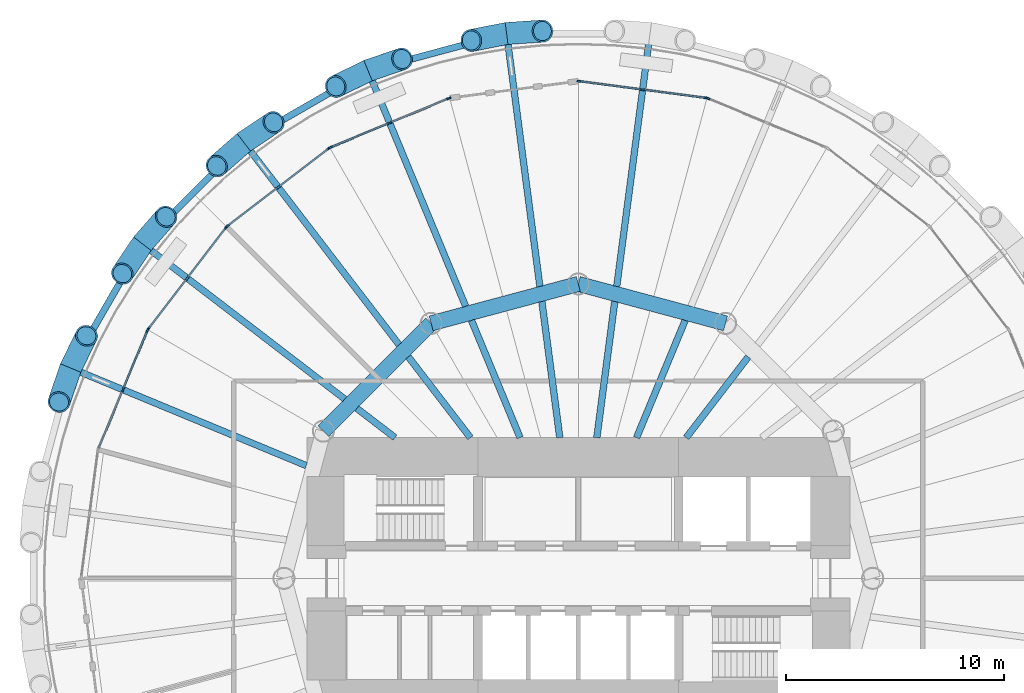
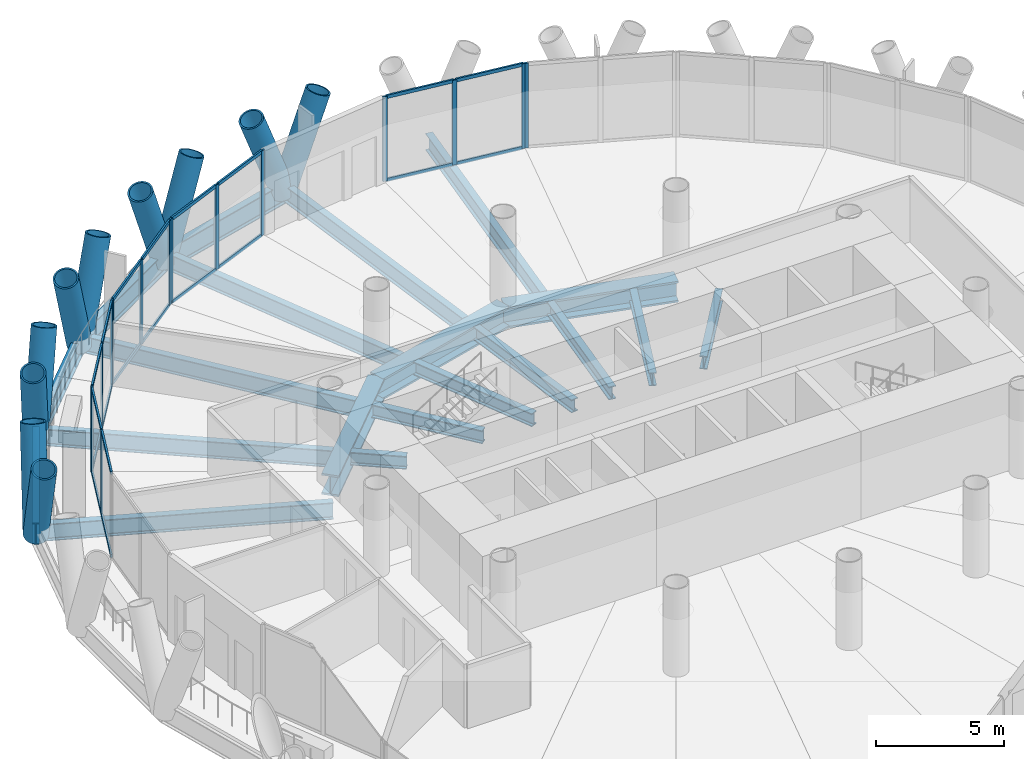
# One storey, part 5 of 14: 45 members, 20 beams, 6 elements without a shape of their own.
"""IFC4 building model written with IfcOpenShell, lengths in metres."""

from ifc_helpers import new_model, si_unit, direction, frame, origin, origin_2d, place, context, subcontext, project, spatial, rectangle, hollow_circle, i_section, extrude, material, material_profile, profile_set, type_object, element, aggregate, save


model = new_model("IFC4")

# Units and contexts
model_context = context("Model", 3, precision=1e-05, world=origin(), true_north=direction((0.0, 1.0)))
body_context = subcontext(model_context, "Body", "Model", "MODEL_VIEW")
ifc_project = project(units=[si_unit("LENGTHUNIT", "METRE"), si_unit("AREAUNIT", "SQUARE_METRE"), si_unit("VOLUMEUNIT", "CUBIC_METRE"), si_unit("PLANEANGLEUNIT", "RADIAN"), si_unit("MASSUNIT", "GRAM", prefix="KILO")], contexts=[model_context])

# Site, building, storey
site_placement = place(None, origin())
site = spatial("IfcSite", under=ifc_project, at=site_placement, CompositionType="ELEMENT")
building_placement = place(site_placement, origin())
building = spatial("IfcBuilding", under=site, at=building_placement, Name="Qaws Media Tower", CompositionType="ELEMENT")
storey_placement = place(building_placement, frame((0.0, 0.0, 118.39990234375)))
storey = spatial("IfcBuildingStorey", under=building, at=storey_placement, Name="L26", CompositionType="ELEMENT", Elevation=118.39990234375)

# Curtain wall, member
ifc_material_1 = material(Name="Aluminium and clear glass", Category="aluminium")
curtain_wall_type = type_object("IfcCurtainWallType", Name="Unitised curtain wall CW-B", PredefinedType="NOTDEFINED", material=ifc_material_1)
curtain_wall_1_placement = place(storey_placement, origin())
curtain_wall_1 = element("IfcCurtainWall", 1, at=curtain_wall_1_placement, inside=storey, type_object=curtain_wall_type, Name="CWB curtain wall L26-05", PredefinedType="NOTDEFINED")
ifc_material_2 = material(Name="Aluminium mullion", Category="aluminium")
ifc_material_profile_1 = material_profile(ifc_material_2, rectangle(XDim=0.080078125, YDim=0.199951171875, at=origin_2d()), Name="80x200")
ifc_profile_set_1 = profile_set([ifc_material_profile_1], Name="Aluminium mullion")
member_type_1 = type_object("IfcMemberType", Name="Curtain wall mullion 80x200", PredefinedType="MULLION", material=ifc_profile_set_1)
member_1_placement = place(storey_placement, frame((65.93798828125, 72.0078125, 0.0), z_axis=(0.0, 0.0, 1.0), x_axis=(-0.382683471419, -0.923879516335, 0.0)))
member_1 = element("IfcMember", 2, at=member_1_placement, type_object=member_type_1, Name="CWB mullion 3", PredefinedType="MULLION", context=body_context, shape_type="SweptSolid", body=[
    extrude(rectangle(XDim=0.080078125, YDim=0.199951171875, at=origin_2d()), origin(), (0.0, 0.0, 1.0), 4.0400390625),
])
aggregate(curtain_wall_1, [member_1])

# Curtain wall, members
curtain_wall_2_placement = place(storey_placement, origin())
curtain_wall_2 = element("IfcCurtainWall", 3, at=curtain_wall_2_placement, inside=storey, type_object=curtain_wall_type, Name="CWB curtain wall L26-06", PredefinedType="NOTDEFINED")
member_2_placement = place(storey_placement, frame((65.861328125, 72.0283203125, 0.0), z_axis=(0.0, 0.0, 1.0), x_axis=(-0.130526170659, -0.991444864212, 0.0)))
member_2 = element("IfcMember", 4, at=member_2_placement, type_object=member_type_1, Name="CWB mullion 1", PredefinedType="MULLION", context=body_context, shape_type="SweptSolid", body=[
    extrude(rectangle(XDim=0.080078125, YDim=0.199951171875, at=origin_2d()), origin(), (0.0, 0.0, 1.0), 4.0400390625),
])
member_3_placement = place(storey_placement, frame((62.950439453125, 72.41162109375, 0.0), z_axis=(0.0, 0.0, 1.0), x_axis=(-0.130526170659, -0.991444864212, 0.0)))
member_3 = element("IfcMember", 5, at=member_3_placement, type_object=member_type_1, Name="CWB mullion 2", PredefinedType="MULLION", context=body_context, shape_type="SweptSolid", body=[
    extrude(rectangle(XDim=0.080078125, YDim=0.199951171875, at=origin_2d()), origin(), (0.0, 0.0, 1.0), 4.0400390625),
])
member_4_placement = place(storey_placement, frame((60.03955078125, 72.794677734375, 0.0), z_axis=(0.0, 0.0, 1.0), x_axis=(-0.130526170659, -0.991444864212, 0.0)))
member_4 = element("IfcMember", 6, at=member_4_placement, type_object=member_type_1, Name="CWB mullion 3", PredefinedType="MULLION", context=body_context, shape_type="SweptSolid", body=[
    extrude(rectangle(XDim=0.080078125, YDim=0.199951171875, at=origin_2d()), origin(), (0.0, 0.0, 1.0), 4.0400390625),
])

curtain_wall_3_placement = place(storey_placement, origin())
curtain_wall_3 = element("IfcCurtainWall", 7, at=curtain_wall_3_placement, inside=storey, type_object=curtain_wall_type, Name="CWB curtain wall L26-08", PredefinedType="NOTDEFINED")
member_5_placement = place(storey_placement, frame((54.06201171875, 72.0078125, 0.0), z_axis=(0.0, 0.0, 1.0), x_axis=(0.382683471419, -0.923879516335, 0.0)))
member_5 = element("IfcMember", 8, at=member_5_placement, type_object=member_type_1, Name="CWB mullion 1", PredefinedType="MULLION", context=body_context, shape_type="SweptSolid", body=[
    extrude(rectangle(XDim=0.080078125, YDim=0.199951171875, at=origin_2d()), origin(), (0.0, 0.0, 1.0), 4.0400390625),
])
member_6_placement = place(storey_placement, frame((51.349365234375, 70.88427734375, 0.0), z_axis=(0.0, 0.0, 1.0), x_axis=(0.382683471419, -0.923879516335, 0.0)))
member_6 = element("IfcMember", 9, at=member_6_placement, type_object=member_type_1, Name="CWB mullion 2", PredefinedType="MULLION", context=body_context, shape_type="SweptSolid", body=[
    extrude(rectangle(XDim=0.080078125, YDim=0.199951171875, at=origin_2d()), origin(), (0.0, 0.0, 1.0), 4.0400390625),
])
member_7_placement = place(storey_placement, frame((48.636962890625, 69.7607421875, 0.0), z_axis=(0.0, 0.0, 1.0), x_axis=(0.382683471419, -0.923879516335, 0.0)))
member_7 = element("IfcMember", 10, at=member_7_placement, type_object=member_type_1, Name="CWB mullion 3", PredefinedType="MULLION", context=body_context, shape_type="SweptSolid", body=[
    extrude(rectangle(XDim=0.080078125, YDim=0.199951171875, at=origin_2d()), origin(), (0.0, 0.0, 1.0), 4.0400390625),
])

curtain_wall_4_placement = place(storey_placement, origin())
curtain_wall_4 = element("IfcCurtainWall", 11, at=curtain_wall_4_placement, inside=storey, type_object=curtain_wall_type, Name="CWB curtain wall L26-09", PredefinedType="NOTDEFINED")
member_8_placement = place(storey_placement, frame((48.568359375, 69.720947265625, 0.0), z_axis=(0.0, 0.0, 1.0), x_axis=(0.608761334505, -0.793353412806, 0.0)))
member_8 = element("IfcMember", 12, at=member_8_placement, type_object=member_type_1, Name="CWB mullion 1", PredefinedType="MULLION", context=body_context, shape_type="SweptSolid", body=[
    extrude(rectangle(XDim=0.080078125, YDim=0.199951171875, at=origin_2d()), origin(), (0.0, 0.0, 1.0), 4.0400390625),
])
member_9_placement = place(storey_placement, frame((46.239013671875, 67.93359375, 0.0), z_axis=(0.0, 0.0, 1.0), x_axis=(0.608761334505, -0.793353412806, 0.0)))
member_9 = element("IfcMember", 13, at=member_9_placement, type_object=member_type_1, Name="CWB mullion 2", PredefinedType="MULLION", context=body_context, shape_type="SweptSolid", body=[
    extrude(rectangle(XDim=0.080078125, YDim=0.199951171875, at=origin_2d()), origin(), (0.0, 0.0, 1.0), 4.0400390625),
])
member_10_placement = place(storey_placement, frame((43.90966796875, 66.146484375, 0.0), z_axis=(0.0, 0.0, 1.0), x_axis=(0.608761334505, -0.793353412806, 0.0)))
member_10 = element("IfcMember", 14, at=member_10_placement, type_object=member_type_1, Name="CWB mullion 3", PredefinedType="MULLION", context=body_context, shape_type="SweptSolid", body=[
    extrude(rectangle(XDim=0.080078125, YDim=0.199951171875, at=origin_2d()), origin(), (0.0, 0.0, 1.0), 4.0400390625),
])

curtain_wall_5_placement = place(storey_placement, origin())
curtain_wall_5 = element("IfcCurtainWall", 15, at=curtain_wall_5_placement, inside=storey, type_object=curtain_wall_type, Name="CWB curtain wall L26-10", PredefinedType="NOTDEFINED")
member_11_placement = place(storey_placement, frame((43.853515625, 66.09033203125, 0.0), z_axis=(0.0, 0.0, 1.0), x_axis=(0.793353412806, -0.608761334505, 0.0)))
member_11 = element("IfcMember", 16, at=member_11_placement, type_object=member_type_1, Name="CWB mullion 1", PredefinedType="MULLION", context=body_context, shape_type="SweptSolid", body=[
    extrude(rectangle(XDim=0.080078125, YDim=0.199951171875, at=origin_2d()), origin(), (0.0, 0.0, 1.0), 4.0400390625),
])
member_12_placement = place(storey_placement, frame((42.06640625, 63.760986328125, 0.0), z_axis=(0.0, 0.0, 1.0), x_axis=(0.793353412806, -0.608761334505, 0.0)))
member_12 = element("IfcMember", 17, at=member_12_placement, type_object=member_type_1, Name="CWB mullion 2", PredefinedType="MULLION", context=body_context, shape_type="SweptSolid", body=[
    extrude(rectangle(XDim=0.080078125, YDim=0.199951171875, at=origin_2d()), origin(), (0.0, 0.0, 1.0), 4.0400390625),
])
member_13_placement = place(storey_placement, frame((40.279052734375, 61.431640625, 0.0), z_axis=(0.0, 0.0, 1.0), x_axis=(0.793353412806, -0.608761334505, 0.0)))
member_13 = element("IfcMember", 18, at=member_13_placement, type_object=member_type_1, Name="CWB mullion 3", PredefinedType="MULLION", context=body_context, shape_type="SweptSolid", body=[
    extrude(rectangle(XDim=0.080078125, YDim=0.199951171875, at=origin_2d()), origin(), (0.0, 0.0, 1.0), 4.0400390625),
])

curtain_wall_6_placement = place(storey_placement, origin())
curtain_wall_6 = element("IfcCurtainWall", 19, at=curtain_wall_6_placement, inside=storey, type_object=curtain_wall_type, Name="CWB curtain wall L26-11", PredefinedType="NOTDEFINED")
member_14_placement = place(storey_placement, frame((40.2392578125, 61.363037109375, 0.0), z_axis=(0.0, 0.0, 1.0), x_axis=(0.923879516335, -0.382683471419, 0.0)))
member_14 = element("IfcMember", 20, at=member_14_placement, type_object=member_type_1, Name="CWB mullion 1", PredefinedType="MULLION", context=body_context, shape_type="SweptSolid", body=[
    extrude(rectangle(XDim=0.080078125, YDim=0.199951171875, at=origin_2d()), origin(), (0.0, 0.0, 1.0), 4.0400390625),
])
member_15_placement = place(storey_placement, frame((39.11572265625, 58.650634765625, 0.0), z_axis=(0.0, 0.0, 1.0), x_axis=(0.923879516335, -0.382683471419, 0.0)))
member_15 = element("IfcMember", 21, at=member_15_placement, type_object=member_type_1, Name="CWB mullion 2", PredefinedType="MULLION", context=body_context, shape_type="SweptSolid", body=[
    extrude(rectangle(XDim=0.080078125, YDim=0.199951171875, at=origin_2d()), origin(), (0.0, 0.0, 1.0), 4.0400390625),
])

# Member
ifc_material_3 = material(Name="Aluminium transom", Category="aluminium")
ifc_material_profile_2 = material_profile(ifc_material_3, rectangle(XDim=0.080078125, YDim=0.159912109375, at=origin_2d()), Name="80x160")
ifc_profile_set_2 = profile_set([ifc_material_profile_2], Name="Aluminium transom")
member_type_2 = type_object("IfcMemberType", Name="Curtain wall transom 80x160", PredefinedType="USERDEFINED", material=ifc_profile_set_2)
member_16_placement = place(storey_placement, frame((65.82177734375, 72.033447265625, 0.0400390625), z_axis=(-0.991443817788, 0.130534118793, 0.0), x_axis=(-0.130534118793, -0.991443817788, 0.0)))
member_16 = element("IfcMember", 22, at=member_16_placement, type_object=member_type_2, Name="CWB transom 1.1", ObjectType="TRANSOM", PredefinedType="USERDEFINED", context=body_context, shape_type="SweptSolid", body=[
    extrude(rectangle(XDim=0.080078125, YDim=0.159912109375, at=origin_2d()), origin(), (0.0, 0.0, 1.0), 2.85595703125),
])

member_17_placement = place(storey_placement, frame((65.82177734375, 72.033447265625, 4.0), z_axis=(-0.991443817788, 0.130534118793, 0.0), x_axis=(-0.130534118793, -0.991443817788, 0.0)))
member_17 = element("IfcMember", 23, at=member_17_placement, type_object=member_type_2, Name="CWB transom 1.2", ObjectType="TRANSOM", PredefinedType="USERDEFINED", context=body_context, shape_type="SweptSolid", body=[
    extrude(rectangle(XDim=0.080078125, YDim=0.159912109375, at=origin_2d()), origin(), (0.0, 0.0, 1.0), 2.85595703125),
])

member_18_placement = place(storey_placement, frame((62.910888671875, 72.416748046875, 0.0400390625), z_axis=(-0.991443817788, 0.130534118793, 0.0), x_axis=(-0.130534118793, -0.991443817788, 0.0)))
member_18 = element("IfcMember", 24, at=member_18_placement, type_object=member_type_2, Name="CWB transom 2.1", ObjectType="TRANSOM", PredefinedType="USERDEFINED", context=body_context, shape_type="SweptSolid", body=[
    extrude(rectangle(XDim=0.080078125, YDim=0.159912109375, at=origin_2d()), origin(), (0.0, 0.0, 1.0), 2.85595703125),
])

member_19_placement = place(storey_placement, frame((62.910888671875, 72.416748046875, 4.0), z_axis=(-0.991443817788, 0.130534118793, 0.0), x_axis=(-0.130534118793, -0.991443817788, 0.0)))
member_19 = element("IfcMember", 25, at=member_19_placement, type_object=member_type_2, Name="CWB transom 2.2", ObjectType="TRANSOM", PredefinedType="USERDEFINED", context=body_context, shape_type="SweptSolid", body=[
    extrude(rectangle(XDim=0.080078125, YDim=0.159912109375, at=origin_2d()), origin(), (0.0, 0.0, 1.0), 2.85595703125),
])

aggregate(curtain_wall_2, [member_2, member_3, member_4, member_16, member_17, member_18, member_19])

member_20_placement = place(storey_placement, frame((54.02490234375, 71.992431640625, 0.0400390625), z_axis=(-0.923891802568, -0.382653808485, 0.0), x_axis=(0.382653808485, -0.923891802568, 0.0)))
member_20 = element("IfcMember", 26, at=member_20_placement, type_object=member_type_2, Name="CWB transom 1.1", ObjectType="TRANSOM", PredefinedType="USERDEFINED", context=body_context, shape_type="SweptSolid", body=[
    extrude(rectangle(XDim=0.080078125, YDim=0.159912109375, at=origin_2d()), origin(), (0.0, 0.0, 1.0), 2.855712890625),
])

member_21_placement = place(storey_placement, frame((54.02490234375, 71.992431640625, 4.0), z_axis=(-0.923891802568, -0.382653808485, 0.0), x_axis=(0.382653808485, -0.923891802568, 0.0)))
member_21 = element("IfcMember", 27, at=member_21_placement, type_object=member_type_2, Name="CWB transom 1.2", ObjectType="TRANSOM", PredefinedType="USERDEFINED", context=body_context, shape_type="SweptSolid", body=[
    extrude(rectangle(XDim=0.080078125, YDim=0.159912109375, at=origin_2d()), origin(), (0.0, 0.0, 1.0), 2.855712890625),
])

member_22_placement = place(storey_placement, frame((51.3125, 70.868896484375, 0.0400390625), z_axis=(-0.923874097972, -0.382696552241, 0.0), x_axis=(0.382696552241, -0.923874097972, 0.0)))
member_22 = element("IfcMember", 28, at=member_22_placement, type_object=member_type_2, Name="CWB transom 2.1", ObjectType="TRANSOM", PredefinedType="USERDEFINED", context=body_context, shape_type="SweptSolid", body=[
    extrude(rectangle(XDim=0.080078125, YDim=0.159912109375, at=origin_2d()), origin(), (0.0, 0.0, 1.0), 2.856201171875),
])

member_23_placement = place(storey_placement, frame((51.3125, 70.868896484375, 4.0), z_axis=(-0.923874097972, -0.382696552241, 0.0), x_axis=(0.382696552241, -0.923874097972, 0.0)))
member_23 = element("IfcMember", 29, at=member_23_placement, type_object=member_type_2, Name="CWB transom 2.2", ObjectType="TRANSOM", PredefinedType="USERDEFINED", context=body_context, shape_type="SweptSolid", body=[
    extrude(rectangle(XDim=0.080078125, YDim=0.159912109375, at=origin_2d()), origin(), (0.0, 0.0, 1.0), 2.856201171875),
])

aggregate(curtain_wall_3, [member_5, member_6, member_7, member_20, member_21, member_22, member_23])

member_24_placement = place(storey_placement, frame((48.53662109375, 69.69677734375, 0.0400390625), z_axis=(-0.793335248528, -0.608785005928, 0.0), x_axis=(0.608785005928, -0.793335248528, 0.0)))
member_24 = element("IfcMember", 30, at=member_24_placement, type_object=member_type_2, Name="CWB transom 1.1", ObjectType="TRANSOM", PredefinedType="USERDEFINED", context=body_context, shape_type="SweptSolid", body=[
    extrude(rectangle(XDim=0.080078125, YDim=0.159912109375, at=origin_2d()), origin(), (0.0, 0.0, 1.0), 2.856201171875),
])

member_25_placement = place(storey_placement, frame((48.53662109375, 69.69677734375, 4.0), z_axis=(-0.793335248528, -0.608785005928, 0.0), x_axis=(0.608785005928, -0.793335248528, 0.0)))
member_25 = element("IfcMember", 31, at=member_25_placement, type_object=member_type_2, Name="CWB transom 1.2", ObjectType="TRANSOM", PredefinedType="USERDEFINED", context=body_context, shape_type="SweptSolid", body=[
    extrude(rectangle(XDim=0.080078125, YDim=0.159912109375, at=origin_2d()), origin(), (0.0, 0.0, 1.0), 2.856201171875),
])

member_26_placement = place(storey_placement, frame((46.207275390625, 67.909423828125, 0.0400390625), z_axis=(-0.793335248528, -0.608785005928, 0.0), x_axis=(0.608785005928, -0.793335248528, 0.0)))
member_26 = element("IfcMember", 32, at=member_26_placement, type_object=member_type_2, Name="CWB transom 2.1", ObjectType="TRANSOM", PredefinedType="USERDEFINED", context=body_context, shape_type="SweptSolid", body=[
    extrude(rectangle(XDim=0.080078125, YDim=0.159912109375, at=origin_2d()), origin(), (0.0, 0.0, 1.0), 2.856201171875),
])

member_27_placement = place(storey_placement, frame((46.207275390625, 67.909423828125, 4.0), z_axis=(-0.793335248528, -0.608785005928, 0.0), x_axis=(0.608785005928, -0.793335248528, 0.0)))
member_27 = element("IfcMember", 33, at=member_27_placement, type_object=member_type_2, Name="CWB transom 2.2", ObjectType="TRANSOM", PredefinedType="USERDEFINED", context=body_context, shape_type="SweptSolid", body=[
    extrude(rectangle(XDim=0.080078125, YDim=0.159912109375, at=origin_2d()), origin(), (0.0, 0.0, 1.0), 2.856201171875),
])

aggregate(curtain_wall_4, [member_8, member_9, member_10, member_24, member_25, member_26, member_27])

member_28_placement = place(storey_placement, frame((43.829345703125, 66.05859375, 0.0400390625), z_axis=(-0.608785005928, -0.793335248528, 0.0), x_axis=(0.793335248528, -0.608785005928, 0.0)))
member_28 = element("IfcMember", 34, at=member_28_placement, type_object=member_type_2, Name="CWB transom 1.1", ObjectType="TRANSOM", PredefinedType="USERDEFINED", context=body_context, shape_type="SweptSolid", body=[
    extrude(rectangle(XDim=0.080078125, YDim=0.159912109375, at=origin_2d()), origin(), (0.0, 0.0, 1.0), 2.856201171875),
])

member_29_placement = place(storey_placement, frame((43.829345703125, 66.05859375, 4.0), z_axis=(-0.608785005928, -0.793335248528, 0.0), x_axis=(0.793335248528, -0.608785005928, 0.0)))
member_29 = element("IfcMember", 35, at=member_29_placement, type_object=member_type_2, Name="CWB transom 1.2", ObjectType="TRANSOM", PredefinedType="USERDEFINED", context=body_context, shape_type="SweptSolid", body=[
    extrude(rectangle(XDim=0.080078125, YDim=0.159912109375, at=origin_2d()), origin(), (0.0, 0.0, 1.0), 2.856201171875),
])

member_30_placement = place(storey_placement, frame((42.0419921875, 63.729248046875, 0.0400390625), z_axis=(-0.608785005928, -0.793335248528, 0.0), x_axis=(0.793335248528, -0.608785005928, 0.0)))
member_30 = element("IfcMember", 36, at=member_30_placement, type_object=member_type_2, Name="CWB transom 2.1", ObjectType="TRANSOM", PredefinedType="USERDEFINED", context=body_context, shape_type="SweptSolid", body=[
    extrude(rectangle(XDim=0.080078125, YDim=0.159912109375, at=origin_2d()), origin(), (0.0, 0.0, 1.0), 2.856201171875),
])

member_31_placement = place(storey_placement, frame((42.0419921875, 63.729248046875, 4.0), z_axis=(-0.608785005928, -0.793335248528, 0.0), x_axis=(0.793335248528, -0.608785005928, 0.0)))
member_31 = element("IfcMember", 37, at=member_31_placement, type_object=member_type_2, Name="CWB transom 2.2", ObjectType="TRANSOM", PredefinedType="USERDEFINED", context=body_context, shape_type="SweptSolid", body=[
    extrude(rectangle(XDim=0.080078125, YDim=0.159912109375, at=origin_2d()), origin(), (0.0, 0.0, 1.0), 2.856201171875),
])

aggregate(curtain_wall_5, [member_11, member_12, member_13, member_28, member_29, member_30, member_31])

member_32_placement = place(storey_placement, frame((40.22412109375, 61.326171875, 0.0400390625), z_axis=(-0.382696552241, -0.923874097972, 0.0), x_axis=(0.923874097972, -0.382696552241, 0.0)))
member_32 = element("IfcMember", 38, at=member_32_placement, type_object=member_type_2, Name="CWB transom 1.1", ObjectType="TRANSOM", PredefinedType="USERDEFINED", context=body_context, shape_type="SweptSolid", body=[
    extrude(rectangle(XDim=0.080078125, YDim=0.159912109375, at=origin_2d()), origin(), (0.0, 0.0, 1.0), 2.856201171875),
])

member_33_placement = place(storey_placement, frame((40.22412109375, 61.326171875, 4.0), z_axis=(-0.382696552241, -0.923874097972, 0.0), x_axis=(0.923874097972, -0.382696552241, 0.0)))
member_33 = element("IfcMember", 39, at=member_33_placement, type_object=member_type_2, Name="CWB transom 1.2", ObjectType="TRANSOM", PredefinedType="USERDEFINED", context=body_context, shape_type="SweptSolid", body=[
    extrude(rectangle(XDim=0.080078125, YDim=0.159912109375, at=origin_2d()), origin(), (0.0, 0.0, 1.0), 2.856201171875),
])

member_34_placement = place(storey_placement, frame((39.100341796875, 58.613525390625, 0.0400390625), z_axis=(-0.382653808485, -0.923891802568, 0.0), x_axis=(0.923891802568, -0.382653808485, 0.0)))
member_34 = element("IfcMember", 40, at=member_34_placement, type_object=member_type_2, Name="CWB transom 2.1", ObjectType="TRANSOM", PredefinedType="USERDEFINED", context=body_context, shape_type="SweptSolid", body=[
    extrude(rectangle(XDim=0.080078125, YDim=0.159912109375, at=origin_2d()), origin(), (0.0, 0.0, 1.0), 2.855712890625),
])

member_35_placement = place(storey_placement, frame((39.100341796875, 58.613525390625, 4.0), z_axis=(-0.382653808485, -0.923891802568, 0.0), x_axis=(0.923891802568, -0.382653808485, 0.0)))
member_35 = element("IfcMember", 41, at=member_35_placement, type_object=member_type_2, Name="CWB transom 2.2", ObjectType="TRANSOM", PredefinedType="USERDEFINED", context=body_context, shape_type="SweptSolid", body=[
    extrude(rectangle(XDim=0.080078125, YDim=0.159912109375, at=origin_2d()), origin(), (0.0, 0.0, 1.0), 2.855712890625),
])

aggregate(curtain_wall_6, [member_14, member_15, member_32, member_33, member_34, member_35])

# Members
ifc_material_4 = material(Name="Steel S460", Category="steel")
ifc_material_profile_3 = material_profile(ifc_material_4, hollow_circle(Radius=0.508056640625, WallThickness=0.070068359375, at=origin_2d()), Name="CHS 1016x70")
ifc_profile_set_3 = profile_set([ifc_material_profile_3], Name="Steel S460")
member_type_3 = type_object("IfcMemberType", Name="Diagrid member CHS 1016x70", PredefinedType="USERDEFINED", material=ifc_profile_set_3)
for number, where, z_axis, x_axis, name in (
    (42, (56.710693359375, 74.984375, -0.663818359375), (-0.358440096389, -0.070400145743, 0.930894471344), (0.192724927899, -0.981252822756, 0.0), "DG3 diagrid L26 A07"),
    (43, (56.710693359375, 74.984375, -0.663818359375), (0.364493482667, 0.024782959481, 0.930876095951), (-0.067836250378, 0.997696468439, 0.0), "DG3 diagrid L26 B07"),
    (44, (50.3564453125, 73.28173828125, -0.663818359375), (-0.328026703991, -0.160766634371, 0.930888054893), (0.440089304475, -0.897954010006, 0.0), "DG3 diagrid L26 A08"),
    (45, (50.3564453125, 73.28173828125, -0.663818359375), (0.34561647679, 0.118235791731, 0.930897173981), (-0.32368418911, 0.946165178877, 0.0), "DG3 diagrid L26 B08"),
    (46, (44.6591796875, 69.992431640625, -0.663818359375), (-0.275214465355, -0.240203895342, 0.930891554759), (0.657560236783, -0.753401974381, 0.0), "DG3 diagrid L26 A09"),
    (47, (44.6591796875, 69.992431640625, -0.663818359375), (0.303244390863, 0.203678066954, 0.93089101642), (-0.557568372369, 0.83013101986, 0.0), "DG3 diagrid L26 B09"),
    (48, (40.007568359375, 65.3408203125, -0.663818359375), (-0.203678066954, -0.303244390863, 0.93089101642), (0.83013101986, -0.557568372369, 0.0), "DG3 diagrid L26 A10"),
    (49, (40.007568359375, 65.3408203125, -0.663818359375), (0.240203895342, 0.275214465355, 0.930891554759), (-0.753401974381, 0.657560236783, 0.0), "DG3 diagrid L26 B10"),
    (50, (36.71826171875, 59.6435546875, -0.663818359375), (-0.118235791731, -0.34561647679, 0.930897173981), (0.946165178877, -0.32368418911, 0.0), "DG3 diagrid L26 A11"),
    (51, (36.71826171875, 59.6435546875, -0.663818359375), (0.160766634371, 0.328026703991, 0.930888054893), (-0.897954010006, 0.440089304475, 0.0), "DG3 diagrid L26 B11"),
):
    element("IfcMember", number, at=place(storey_placement, frame(where, z_axis=z_axis, x_axis=x_axis)), inside=storey, type_object=member_type_3, Name=name, ObjectType="DIAGRID", PredefinedType="USERDEFINED", context=body_context, shape_type="SweptSolid", body=[
        extrude(hollow_circle(Radius=0.508056640625, WallThickness=0.070068359375, at=origin_2d()), origin(), (0.0, 0.0, 1.0), 4.51171875),
    ])

# Beams
ifc_material_5 = material(Name="Steel S460", Category="steel")
ifc_material_profile_4 = material_profile(ifc_material_5, i_section(OverallWidth=0.302001953125, OverallDepth=1.008056640625, WebThickness=0.02099609375, FlangeThickness=0.0400390625, FilletRadius=0.030029296875, at=origin_2d()), Name="HE 1000 M")
ifc_profile_set_4 = profile_set([ifc_material_profile_4], Name="Steel S460")
beam_type_1 = type_object("IfcBeamType", Name="Edge ring beam HE 1000 M", PredefinedType="BEAM", material=ifc_profile_set_4)
beam_1_placement = place(storey_placement, frame((56.710693359375, 74.984375, -0.663818359375), z_axis=(-0.965925024947, -0.258822035732, 0.0), x_axis=(0.258822035732, -0.965925024947, 0.0)))
element("IfcBeam", 52, at=beam_1_placement, inside=storey, type_object=beam_type_1, Name="RB3 edge ring beam L26-07", PredefinedType="BEAM", context=body_context, shape_type="SweptSolid", body=[
    extrude(i_section(OverallWidth=0.302001953125, OverallDepth=1.008056640625, WebThickness=0.02099609375, FlangeThickness=0.0400390625, FilletRadius=0.030029296875, at=origin_2d()), origin(), (0.0, 0.0, 1.0), 6.578369140625),
])
beam_2_placement = place(storey_placement, frame((50.3564453125, 73.28173828125, -0.663818359375), z_axis=(-0.866026141086, -0.499998722954, 0.0), x_axis=(0.499998722954, -0.866026141086, 0.0)))
element("IfcBeam", 53, at=beam_2_placement, inside=storey, type_object=beam_type_1, Name="RB3 edge ring beam L26-08", PredefinedType="BEAM", context=body_context, shape_type="SweptSolid", body=[
    extrude(i_section(OverallWidth=0.302001953125, OverallDepth=1.008056640625, WebThickness=0.02099609375, FlangeThickness=0.0400390625, FilletRadius=0.030029296875, at=origin_2d()), origin(), (0.0, 0.0, 1.0), 6.57861328125),
])
beam_3_placement = place(storey_placement, frame((44.6591796875, 69.992431640625, -0.663818359375), z_axis=(-0.707106781187, -0.707106781187, 0.0), x_axis=(0.707106781187, -0.707106781187, 0.0)))
element("IfcBeam", 54, at=beam_3_placement, inside=storey, type_object=beam_type_1, Name="RB3 edge ring beam L26-09", PredefinedType="BEAM", context=body_context, shape_type="SweptSolid", body=[
    extrude(i_section(OverallWidth=0.302001953125, OverallDepth=1.008056640625, WebThickness=0.02099609375, FlangeThickness=0.0400390625, FilletRadius=0.030029296875, at=origin_2d()), origin(), (0.0, 0.0, 1.0), 6.578369140625),
])
beam_4_placement = place(storey_placement, frame((40.007568359375, 65.3408203125, -0.663818359375), z_axis=(-0.499998722954, -0.866026141086, 0.0), x_axis=(0.866026141086, -0.499998722954, 0.0)))
element("IfcBeam", 55, at=beam_4_placement, inside=storey, type_object=beam_type_1, Name="RB3 edge ring beam L26-10", PredefinedType="BEAM", context=body_context, shape_type="SweptSolid", body=[
    extrude(i_section(OverallWidth=0.302001953125, OverallDepth=1.008056640625, WebThickness=0.02099609375, FlangeThickness=0.0400390625, FilletRadius=0.030029296875, at=origin_2d()), origin(), (0.0, 0.0, 1.0), 6.57861328125),
])
ifc_material_6 = material(Name="Steel S460", Category="steel")
ifc_material_profile_5 = material_profile(ifc_material_6, i_section(OverallWidth=0.699951171875, OverallDepth=1.0, WebThickness=0.034912109375, FlangeThickness=0.090087890625, at=origin_2d()), Name="PG 1000x700")
ifc_profile_set_5 = profile_set([ifc_material_profile_5], Name="Steel S460")
beam_type_2 = type_object("IfcBeamType", Name="Inner ring girder PG 1000x700", PredefinedType="BEAM", material=ifc_profile_set_5)
for number, where, z_axis, x_axis, name in (
    (56, (66.75, 61.69140625, -0.659912109375), (-0.965928090778, 0.258810593767, 0.0), (-0.258810593767, -0.965928090778, 0.0), "B3 inner ring beam L26 I03-I04"),
    (57, (60.0, 63.5, -0.659912109375), (-0.965928090778, -0.258810593767, 0.0), (0.258810593767, -0.965928090778, 0.0), "B3 inner ring beam L26 I04-I05"),
):
    element("IfcBeam", number, at=place(storey_placement, frame(where, z_axis=z_axis, x_axis=x_axis)), inside=storey, type_object=beam_type_2, Name=name, PredefinedType="BEAM", context=body_context, shape_type="SweptSolid", body=[
        extrude(i_section(OverallWidth=0.699951171875, OverallDepth=1.0, WebThickness=0.034912109375, FlangeThickness=0.090087890625, at=origin_2d()), origin(), (0.0, 0.0, 1.0), 6.988037109375),
    ])
beam_5_placement = place(storey_placement, frame((53.25, 61.69140625, -0.659912109375), z_axis=(-0.707106781187, -0.707106781187, 0.0), x_axis=(0.707106781187, -0.707106781187, 0.0)))
element("IfcBeam", 58, at=beam_5_placement, inside=storey, type_object=beam_type_2, Name="B3 inner ring beam L26 I05-I06", PredefinedType="BEAM", context=body_context, shape_type="SweptSolid", body=[
    extrude(i_section(OverallWidth=0.699951171875, OverallDepth=1.0, WebThickness=0.034912109375, FlangeThickness=0.090087890625, at=origin_2d()), origin(), (0.0, 0.0, 1.0), 6.98828125),
])
ifc_material_7 = material(Name="Steel S355", Category="steel")
ifc_material_profile_6 = material_profile(ifc_material_7, i_section(OverallWidth=0.304931640625, OverallDepth=0.6201171875, WebThickness=0.02099609375, FlangeThickness=0.0400390625, FilletRadius=0.027099609375, at=origin_2d()), Name="HE 600 M")
ifc_profile_set_6 = profile_set([ifc_material_profile_6], Name="Steel S355")
beam_type_3 = type_object("IfcBeamType", Name="Radial beam HE 600 M, core side", PredefinedType="BEAM", material=ifc_profile_set_6)
beam_6_placement = place(storey_placement, frame((64.94921875, 56.449951171875, -0.469970703125), z_axis=(0.608747616782, 0.793363938594, 0.0), x_axis=(-0.793363938594, 0.608747616782, 0.0)))
element("IfcBeam", 59, at=beam_6_placement, inside=storey, type_object=beam_type_3, Name="B2 radial beam L26 04", PredefinedType="BEAM", context=body_context, shape_type="SweptSolid", body=[
    extrude(i_section(OverallWidth=0.304931640625, OverallDepth=0.6201171875, WebThickness=0.02099609375, FlangeThickness=0.0400390625, FilletRadius=0.027099609375, at=origin_2d()), origin(), (0.0, 0.0, 1.0), 4.66943359375),
])
beam_7_placement = place(storey_placement, frame((62.671630859375, 56.449951171875, -0.469970703125), z_axis=(0.382692744599, 0.923875675203, 0.0), x_axis=(-0.923875675203, 0.382692744599, 0.0)))
element("IfcBeam", 60, at=beam_7_placement, inside=storey, type_object=beam_type_3, Name="B2 radial beam L26 05", PredefinedType="BEAM", context=body_context, shape_type="SweptSolid", body=[
    extrude(i_section(OverallWidth=0.304931640625, OverallDepth=0.6201171875, WebThickness=0.02099609375, FlangeThickness=0.0400390625, FilletRadius=0.027099609375, at=origin_2d()), origin(), (0.0, 0.0, 1.0), 5.818115234375),
])
for number, where, z_axis, x_axis, name in (
    (61, (60.84912109375, 56.449951171875, -0.469970703125), (0.130529769311, 0.991444390434, 0.0), (-0.991444390434, 0.130529769311, 0.0), "B2 radial beam L26 06"),
    (62, (59.15087890625, 56.449951171875, -0.469970703125), (-0.130529769311, 0.991444390434, 0.0), (-0.991444390434, -0.130529769311, 0.0), "B2 radial beam L26 07"),
):
    element("IfcBeam", number, at=place(storey_placement, frame(where, z_axis=z_axis, x_axis=x_axis)), inside=storey, type_object=beam_type_3, Name=name, PredefinedType="BEAM", context=body_context, shape_type="SweptSolid", body=[
        extrude(i_section(OverallWidth=0.304931640625, OverallDepth=0.6201171875, WebThickness=0.02099609375, FlangeThickness=0.0400390625, FilletRadius=0.027099609375, at=origin_2d()), origin(), (0.0, 0.0, 1.0), 6.2939453125),
    ])
beam_8_placement = place(storey_placement, frame((57.328369140625, 56.449951171875, -0.469970703125), z_axis=(-0.382692744599, 0.923875675203, 0.0), x_axis=(-0.923875675203, -0.382692744599, 0.0)))
element("IfcBeam", 63, at=beam_8_placement, inside=storey, type_object=beam_type_3, Name="B2 radial beam L26 08", PredefinedType="BEAM", context=body_context, shape_type="SweptSolid", body=[
    extrude(i_section(OverallWidth=0.304931640625, OverallDepth=0.6201171875, WebThickness=0.02099609375, FlangeThickness=0.0400390625, FilletRadius=0.027099609375, at=origin_2d()), origin(), (0.0, 0.0, 1.0), 5.818115234375),
])
beam_9_placement = place(storey_placement, frame((55.05078125, 56.449951171875, -0.469970703125), z_axis=(-0.608747616782, 0.793363938594, 0.0), x_axis=(-0.793363938594, -0.608747616782, 0.0)))
element("IfcBeam", 64, at=beam_9_placement, inside=storey, type_object=beam_type_3, Name="B2 radial beam L26 09", PredefinedType="BEAM", context=body_context, shape_type="SweptSolid", body=[
    extrude(i_section(OverallWidth=0.304931640625, OverallDepth=0.6201171875, WebThickness=0.02099609375, FlangeThickness=0.0400390625, FilletRadius=0.027099609375, at=origin_2d()), origin(), (0.0, 0.0, 1.0), 4.66943359375),
])
beam_10_placement = place(storey_placement, frame((51.59423828125, 56.449951171875, -0.469970703125), z_axis=(-0.793372769304, 0.608736107789, 0.0), x_axis=(-0.608736107789, -0.793372769304, 0.0)))
element("IfcBeam", 65, at=beam_10_placement, inside=storey, type_object=beam_type_3, Name="B2 radial beam L26 10", PredefinedType="BEAM", context=body_context, shape_type="SweptSolid", body=[
    extrude(i_section(OverallWidth=0.304931640625, OverallDepth=0.6201171875, WebThickness=0.02099609375, FlangeThickness=0.0400390625, FilletRadius=0.027099609375, at=origin_2d()), origin(), (0.0, 0.0, 1.0), 2.204345703125),
])
ifc_material_8 = material(Name="Steel S355", Category="steel")
ifc_material_profile_7 = material_profile(ifc_material_8, i_section(OverallWidth=0.300048828125, OverallDepth=0.800048828125, WebThickness=0.017578125, FlangeThickness=0.032958984375, FilletRadius=0.030029296875, at=origin_2d()), Name="HE 800 B")
ifc_profile_set_7 = profile_set([ifc_material_profile_7], Name="Steel S355")
beam_type_4 = type_object("IfcBeamType", Name="Radial beam HE 800 B", PredefinedType="BEAM", material=ifc_profile_set_7)
for number, where, z_axis, x_axis, name in (
    (66, (61.762939453125, 63.389892578125, -0.559814453125), (0.130519856148, 0.991445695513, 0.0), (-0.991445695513, 0.130519856148, 0.0), "B1 radial beam L26 06"),
    (67, (58.237060546875, 63.389892578125, -0.559814453125), (-0.130519856148, 0.991445695513, 0.0), (-0.991445695513, -0.130519856148, 0.0), "B1 radial beam L26 07"),
):
    element("IfcBeam", number, at=place(storey_placement, frame(where, z_axis=z_axis, x_axis=x_axis)), inside=storey, type_object=beam_type_4, Name=name, PredefinedType="BEAM", context=body_context, shape_type="SweptSolid", body=[
        extrude(i_section(OverallWidth=0.300048828125, OverallDepth=0.800048828125, WebThickness=0.017578125, FlangeThickness=0.032958984375, FilletRadius=0.030029296875, at=origin_2d()), origin(), (0.0, 0.0, 1.0), 11.694580078125),
    ])
for number, where, z_axis, x_axis, name in (
    (68, (54.83154296875, 62.4775390625, -0.559814453125), (-0.382672616091, 0.923884012684, 0.0), (-0.923884012684, -0.382672616091, 0.0), "B1 radial beam L26 08"),
    (69, (51.7783203125, 60.714599609375, -0.559814453125), (-0.608761952015, 0.793352938974, 0.0), (-0.793352938974, -0.608761952015, 0.0), "B1 radial beam L26 09"),
    (70, (49.285400390625, 58.2216796875, -0.559814453125), (-0.793352938974, 0.608761952015, 0.0), (-0.608761952015, -0.793352938974, 0.0), "B1 radial beam L26 10"),
    (71, (47.5224609375, 55.16845703125, -0.559814453125), (-0.923884012684, 0.382672616091, 0.0), (-0.382672616091, -0.923884012684, 0.0), "B1 radial beam L26 11"),
):
    element("IfcBeam", number, at=place(storey_placement, frame(where, z_axis=z_axis, x_axis=x_axis)), inside=storey, type_object=beam_type_4, Name=name, PredefinedType="BEAM", context=body_context, shape_type="SweptSolid", body=[
        extrude(i_section(OverallWidth=0.300048828125, OverallDepth=0.800048828125, WebThickness=0.017578125, FlangeThickness=0.032958984375, FilletRadius=0.030029296875, at=origin_2d()), origin(), (0.0, 0.0, 1.0), 11.6943359375),
    ])

save(model, "model.ifc")
